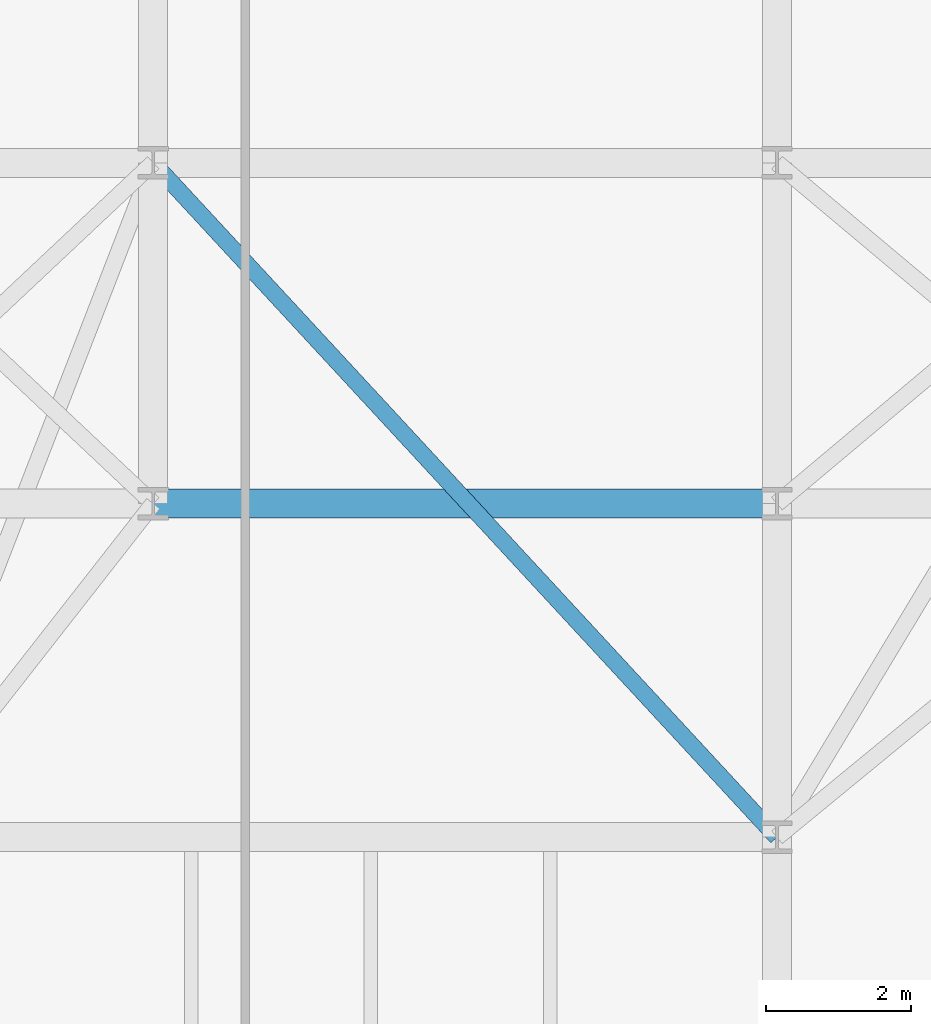
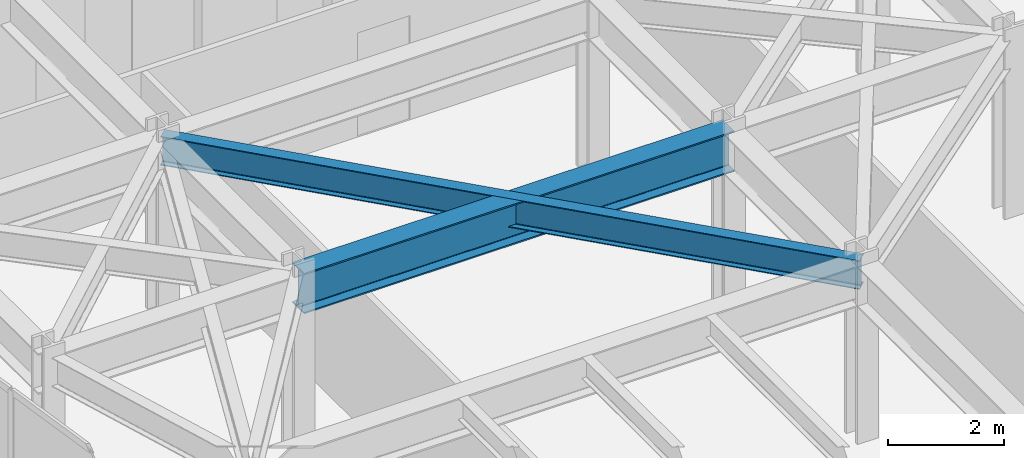
# One storey, part 10 of 26: 2 beams.
"""IFC4 building model written with IfcOpenShell, lengths in metres."""

from ifc_helpers import new_model, si_unit, direction, frame, origin, origin_2d, place, context, subcontext, project, spatial, i_section, extrude, material, material_profile, profile_set, type_object, element, save


model = new_model("IFC4")

# Units and contexts
model_context = context("Model", 3, precision=1e-05, world=origin(), true_north=direction((0.0, 1.0)))
body_context = subcontext(model_context, "Body", "Model", "MODEL_VIEW")
ifc_project = project(units=[si_unit("LENGTHUNIT", "METRE"), si_unit("AREAUNIT", "SQUARE_METRE"), si_unit("VOLUMEUNIT", "CUBIC_METRE"), si_unit("PLANEANGLEUNIT", "RADIAN"), si_unit("MASSUNIT", "GRAM", prefix="KILO")], contexts=[model_context])

# Site, building, storey
site_placement = place(None, origin())
site = spatial("IfcSite", under=ifc_project, at=site_placement, CompositionType="ELEMENT")
building_placement = place(site_placement, origin())
building = spatial("IfcBuilding", under=site, at=building_placement, Name="Kravanh Interchange Tower", CompositionType="ELEMENT")
storey_placement = place(building_placement, frame((0.0, 0.0, 132.0)))
storey = spatial("IfcBuildingStorey", under=building, at=storey_placement, Name="L31", CompositionType="ELEMENT", Elevation=132.0)

# Beams
ifc_material_1 = material(Name="Structural Steel S355", Category="steel")
ifc_material_profile_1 = material_profile(ifc_material_1, i_section(OverallWidth=0.39990234375, OverallDepth=0.85595703125, WebThickness=0.018310546875, FlangeThickness=0.029296875, FilletRadius=0.02490234375, at=origin_2d()), Name="W33X201")
ifc_profile_set_1 = profile_set([ifc_material_profile_1], Name="Structural Steel S355")
beam_type_1 = type_object("IfcBeamType", Name="Floor Beam W33X201 Structural Steel S355", PredefinedType="BEAM", material=ifc_profile_set_1)
beam_1_placement = place(storey_placement, frame((18.60009765625, 26.800048828125, 3.322021484375), z_axis=(1.0, 0.0, 0.0), x_axis=(0.0, 1.0, 0.0)))
element("IfcBeam", 1, at=beam_1_placement, inside=storey, type_object=beam_type_1, Name="L31 Primary Floor Girder 44", PredefinedType="BEAM", context=body_context, shape_type="SweptSolid", body=[
    extrude(i_section(OverallWidth=0.39990234375, OverallDepth=0.85595703125, WebThickness=0.018310546875, FlangeThickness=0.029296875, FilletRadius=0.02490234375, at=origin_2d()), origin(), (0.0, 0.0, 1.0), 8.599853515625),
])
ifc_material_2 = material(Name="Structural Steel S355", Category="steel")
ifc_material_profile_2 = material_profile(ifc_material_2, i_section(OverallWidth=0.22802734375, OverallDepth=0.60791015625, WebThickness=0.01123046875, FlangeThickness=0.017333984375, FilletRadius=0.02197265625, at=origin_2d()), Name="W24X76")
ifc_profile_set_2 = profile_set([ifc_material_profile_2], Name="Structural Steel S355")
beam_type_2 = type_object("IfcBeamType", Name="Floor Spandrel W24X76 Structural Steel S355", PredefinedType="SPANDREL", material=ifc_profile_set_2)
beam_2_placement = place(storey_placement, frame((18.60009765625, 31.5, 3.446044921875), z_axis=(0.678927458783, -0.734205356634, 0.0), x_axis=(0.734205356634, 0.678927458783, 0.0)))
element("IfcBeam", 2, at=beam_2_placement, inside=storey, type_object=beam_type_2, Name="L31 Perimeter Spandrel 73", PredefinedType="SPANDREL", context=body_context, shape_type="SweptSolid", body=[
    extrude(i_section(OverallWidth=0.22802734375, OverallDepth=0.60791015625, WebThickness=0.01123046875, FlangeThickness=0.017333984375, FilletRadius=0.02197265625, at=origin_2d()), origin(), (0.0, 0.0, 1.0), 12.666748046875),
])

save(model, "model.ifc")
